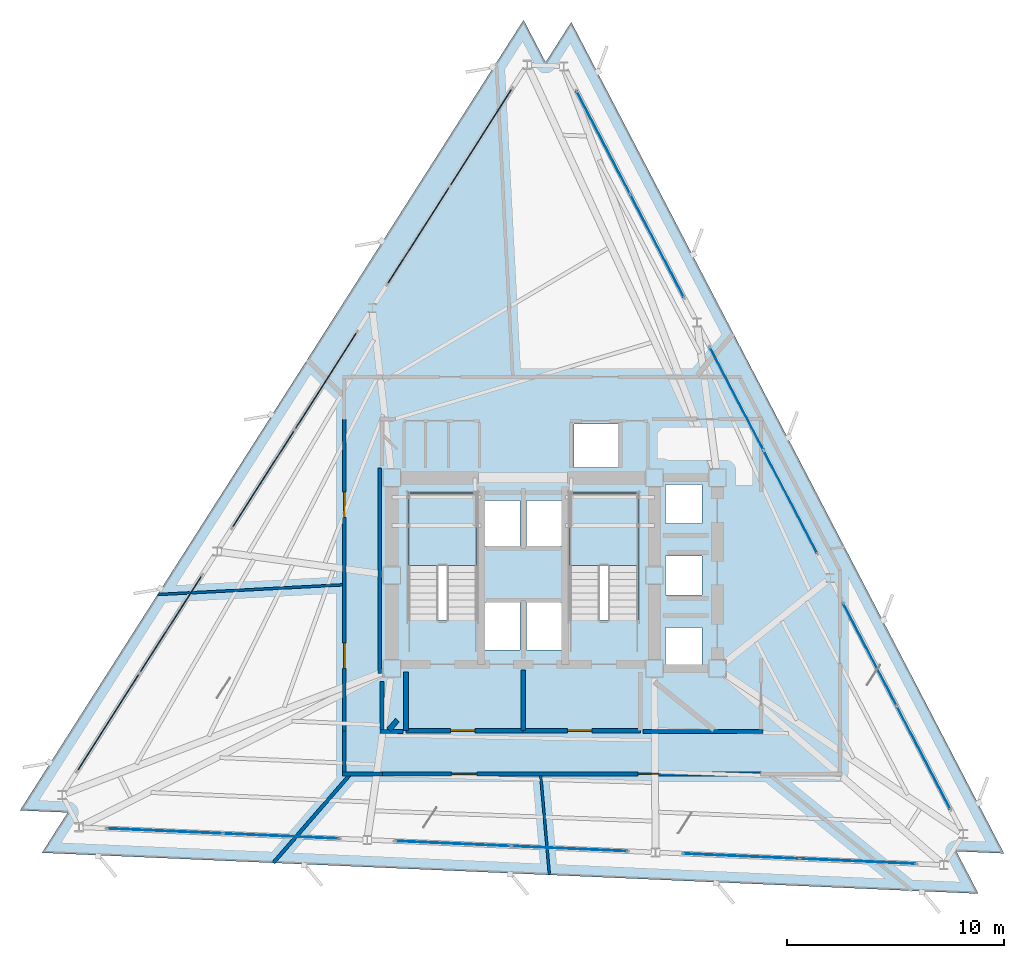
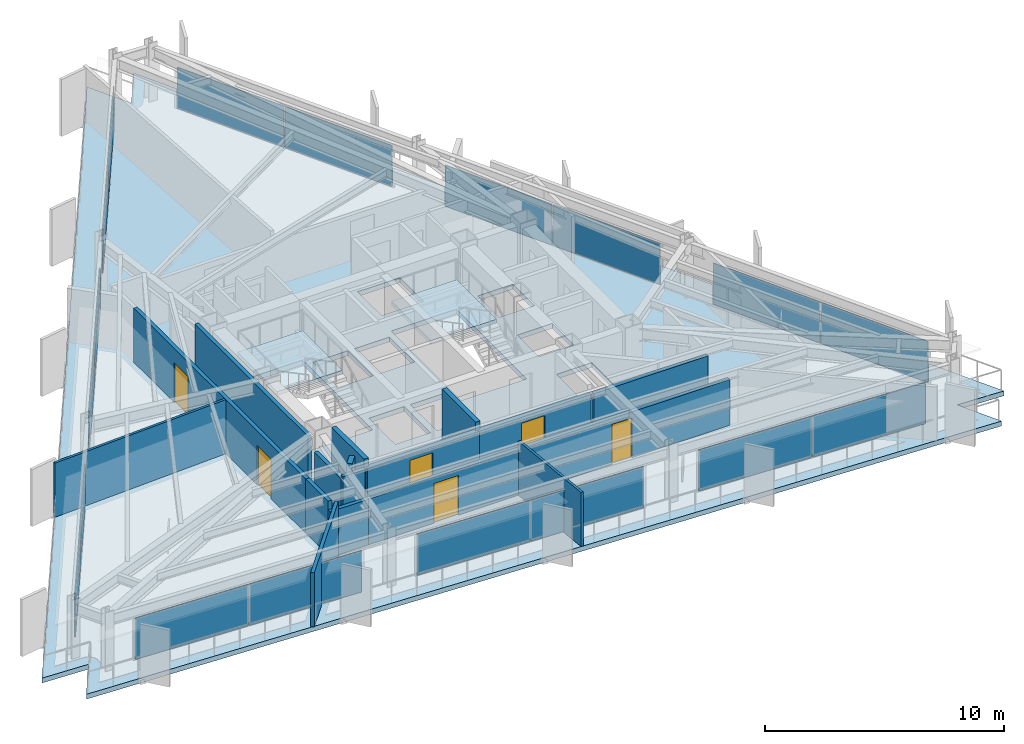
# One storey, part 7 of 12: 18 plates, 16 walls, 6 doors, 3 slabs, 6 openings, 11 elements without a shape of their own.
"""IFC4 building model written with IfcOpenShell, lengths in metres."""

from ifc_helpers import new_model, si_unit, direction, frame, frame_2d, origin, origin_2d, place, context, subcontext, project, spatial, polyline, rectangle, outline, extrude, material, layer, layer_set, type_object, element, fill, aggregate, save


model = new_model("IFC4")

# Units and contexts
model_context = context("Model", 3, precision=1e-05, world=origin(), true_north=direction((0.0, 1.0)))
body_context = subcontext(model_context, "Body", "Model", "MODEL_VIEW")
ifc_project = project(units=[si_unit("LENGTHUNIT", "METRE"), si_unit("AREAUNIT", "SQUARE_METRE"), si_unit("VOLUMEUNIT", "CUBIC_METRE"), si_unit("PLANEANGLEUNIT", "RADIAN"), si_unit("MASSUNIT", "GRAM", prefix="KILO")], contexts=[model_context])

# Site, building, storey
site_placement = place(None, origin())
site = spatial("IfcSite", under=ifc_project, at=site_placement, CompositionType="ELEMENT")
building_placement = place(site_placement, origin())
building = spatial("IfcBuilding", under=site, at=building_placement, Name="Rocaltana Carrier Exchange", CompositionType="ELEMENT")
storey_placement = place(building_placement, frame((0.0, 0.0, 128.9599609375)))
storey = spatial("IfcBuildingStorey", under=building, at=storey_placement, Name="L40", CompositionType="ELEMENT", Elevation=128.9599609375)

# Curtain wall, plates
ifc_material_1 = material(Name="Aluminium 6063-T6", Category="aluminium")
ifc_layer_1 = layer(ifc_material_1, 0.14990234375)
ifc_layer_set_1 = layer_set([ifc_layer_1], Name="Aluminium 6063-T6")
curtain_wall_type = type_object("IfcCurtainWallType", Name="Mid-Tower Unitised Curtain Wall CW-03", PredefinedType="NOTDEFINED", material=ifc_layer_set_1)
curtain_wall_1_placement = place(storey_placement, origin())
curtain_wall_1 = element("IfcCurtainWall", 1, at=curtain_wall_1_placement, inside=storey, type_object=curtain_wall_type, Name="L40 CW-03 Run CW-L40-F1S1", PredefinedType="NOTDEFINED")
ifc_material_2 = material(Name="Tempered Laminated Glass", Category="glass")
ifc_layer_2 = layer(ifc_material_2, 0.0400390625)
ifc_layer_set_2 = layer_set([ifc_layer_2], Name="Tempered Laminated Glass")
plate_type = type_object("IfcPlateType", Name="CW-03 Stone-Insulated Vision Panel", PredefinedType="CURTAIN_PANEL", material=ifc_layer_set_2)
plate_1_placement = place(storey_placement, frame((18.460693359375, -8.4111328125, 0.06005859375), z_axis=(0.0, 0.0, 1.0), x_axis=(-0.461750348962, 0.887009929614, 0.0)))
plate_1 = element("IfcPlate", 2, at=plate_1_placement, type_object=plate_type, Name="CW-03 panel 1.1", PredefinedType="CURTAIN_PANEL", context=body_context, shape_type="SweptSolid", body=[
    extrude(rectangle(XDim=5.31005859375, YDim=0.0400390625, at=origin_2d()), origin(), (0.0, 0.0, 1.0), 2.097900390625),
])
plate_2_placement = place(storey_placement, frame((15.98095703125, -3.64794921875, 0.06005859375), z_axis=(0.0, 0.0, 1.0), x_axis=(-0.461750348962, 0.887009929614, 0.0)))
plate_2 = element("IfcPlate", 3, at=plate_2_placement, type_object=plate_type, Name="CW-03 panel 2.1", PredefinedType="CURTAIN_PANEL", context=body_context, shape_type="SweptSolid", body=[
    extrude(rectangle(XDim=5.31005859375, YDim=0.0400390625, at=origin_2d()), origin(), (0.0, 0.0, 1.0), 2.097900390625),
])
aggregate(curtain_wall_1, [plate_1, plate_2])

curtain_wall_2_placement = place(storey_placement, origin())
curtain_wall_2 = element("IfcCurtainWall", 4, at=curtain_wall_2_placement, inside=storey, type_object=curtain_wall_type, Name="L40 CW-03 Run CW-L40-F1S2", PredefinedType="NOTDEFINED")
plate_3_placement = place(storey_placement, frame((12.3193359375, 3.385986328125, 0.06005859375), z_axis=(0.0, 0.0, 1.0), x_axis=(-0.461746856235, 0.887011747812, 0.0)))
plate_3 = element("IfcPlate", 5, at=plate_3_placement, type_object=plate_type, Name="CW-03 panel 1.1", PredefinedType="CURTAIN_PANEL", context=body_context, shape_type="SweptSolid", body=[
    extrude(rectangle(XDim=5.309814453125, YDim=0.0400390625, at=origin_2d()), origin(), (0.0, 0.0, 1.0), 2.097900390625),
])
plate_4_placement = place(storey_placement, frame((9.83984375, 8.1494140625, 0.06005859375), z_axis=(0.0, 0.0, 1.0), x_axis=(-0.461746856235, 0.887011747812, 0.0)))
plate_4 = element("IfcPlate", 6, at=plate_4_placement, type_object=plate_type, Name="CW-03 panel 2.1", PredefinedType="CURTAIN_PANEL", context=body_context, shape_type="SweptSolid", body=[
    extrude(rectangle(XDim=5.309814453125, YDim=0.0400390625, at=origin_2d()), origin(), (0.0, 0.0, 1.0), 2.097900390625),
])
aggregate(curtain_wall_2, [plate_3, plate_4])

curtain_wall_3_placement = place(storey_placement, origin())
curtain_wall_3 = element("IfcCurtainWall", 7, at=curtain_wall_3_placement, inside=storey, type_object=curtain_wall_type, Name="L40 CW-03 Run CW-L40-F1S3", PredefinedType="NOTDEFINED")
plate_5_placement = place(storey_placement, frame((6.17822265625, 15.183349609375, 0.06005859375), z_axis=(0.0, 0.0, 1.0), x_axis=(-0.461754141383, 0.887007955385, 0.0)))
plate_5 = element("IfcPlate", 8, at=plate_5_placement, type_object=plate_type, Name="CW-03 panel 1.1", PredefinedType="CURTAIN_PANEL", context=body_context, shape_type="SweptSolid", body=[
    extrude(rectangle(XDim=5.31005859375, YDim=0.0400390625, at=origin_2d()), origin(), (0.0, 0.0, 1.0), 2.097900390625),
])
plate_6_placement = place(storey_placement, frame((3.698486328125, 19.946533203125, 0.06005859375), z_axis=(0.0, 0.0, 1.0), x_axis=(-0.461754141383, 0.887007955385, 0.0)))
plate_6 = element("IfcPlate", 9, at=plate_6_placement, type_object=plate_type, Name="CW-03 panel 2.1", PredefinedType="CURTAIN_PANEL", context=body_context, shape_type="SweptSolid", body=[
    extrude(rectangle(XDim=5.31005859375, YDim=0.0400390625, at=origin_2d()), origin(), (0.0, 0.0, 1.0), 2.097900390625),
])
aggregate(curtain_wall_3, [plate_5, plate_6])

curtain_wall_4_placement = place(storey_placement, origin())
curtain_wall_4 = element("IfcCurtainWall", 10, at=curtain_wall_4_placement, inside=storey, type_object=curtain_wall_type, Name="L40 CW-03 Run CW-L40-F2S1", PredefinedType="NOTDEFINED")
plate_7_placement = place(storey_placement, frame((-1.946044921875, 20.19287109375, 0.06005859375), z_axis=(0.0, 0.0, 1.0), x_axis=(-0.537300801443, -0.843390685726, 0.0)))
plate_7 = element("IfcPlate", 11, at=plate_7_placement, type_object=plate_type, Name="CW-03 panel 1.1", PredefinedType="CURTAIN_PANEL", context=body_context, shape_type="SweptSolid", body=[
    extrude(rectangle(XDim=5.31005859375, YDim=0.0400390625, at=origin_2d()), origin(), (0.0, 0.0, 1.0), 2.097900390625),
])
plate_8_placement = place(storey_placement, frame((-4.831298828125, 15.663818359375, 0.06005859375), z_axis=(0.0, 0.0, 1.0), x_axis=(-0.537300801443, -0.843390685726, 0.0)))
plate_8 = element("IfcPlate", 12, at=plate_8_placement, type_object=plate_type, Name="CW-03 panel 2.1", PredefinedType="CURTAIN_PANEL", context=body_context, shape_type="SweptSolid", body=[
    extrude(rectangle(XDim=5.31005859375, YDim=0.0400390625, at=origin_2d()), origin(), (0.0, 0.0, 1.0), 2.097900390625),
])
aggregate(curtain_wall_4, [plate_7, plate_8])

curtain_wall_5_placement = place(storey_placement, origin())
curtain_wall_5 = element("IfcCurtainWall", 13, at=curtain_wall_5_placement, inside=storey, type_object=curtain_wall_type, Name="L40 CW-03 Run CW-L40-F2S2", PredefinedType="NOTDEFINED")
plate_9_placement = place(storey_placement, frame((-9.092041015625, 8.975830078125, 0.06005859375), z_axis=(0.0, 0.0, 1.0), x_axis=(-0.537300801443, -0.843390685726, 0.0)))
plate_9 = element("IfcPlate", 14, at=plate_9_placement, type_object=plate_type, Name="CW-03 panel 1.1", PredefinedType="CURTAIN_PANEL", context=body_context, shape_type="SweptSolid", body=[
    extrude(rectangle(XDim=5.31005859375, YDim=0.0400390625, at=origin_2d()), origin(), (0.0, 0.0, 1.0), 2.097900390625),
])
plate_10_placement = place(storey_placement, frame((-11.977294921875, 4.44677734375, 0.06005859375), z_axis=(0.0, 0.0, 1.0), x_axis=(-0.537300801443, -0.843390685726, 0.0)))
plate_10 = element("IfcPlate", 15, at=plate_10_placement, type_object=plate_type, Name="CW-03 panel 2.1", PredefinedType="CURTAIN_PANEL", context=body_context, shape_type="SweptSolid", body=[
    extrude(rectangle(XDim=5.31005859375, YDim=0.0400390625, at=origin_2d()), origin(), (0.0, 0.0, 1.0), 2.097900390625),
])
aggregate(curtain_wall_5, [plate_9, plate_10])

curtain_wall_6_placement = place(storey_placement, origin())
curtain_wall_6 = element("IfcCurtainWall", 16, at=curtain_wall_6_placement, inside=storey, type_object=curtain_wall_type, Name="L40 CW-03 Run CW-L40-F2S3", PredefinedType="NOTDEFINED")
plate_11_placement = place(storey_placement, frame((-16.23828125, -2.2412109375, 0.06005859375), z_axis=(0.0, 0.0, 1.0), x_axis=(-0.537300801443, -0.843390685726, 0.0)))
plate_11 = element("IfcPlate", 17, at=plate_11_placement, type_object=plate_type, Name="CW-03 panel 1.1", PredefinedType="CURTAIN_PANEL", context=body_context, shape_type="SweptSolid", body=[
    extrude(rectangle(XDim=5.31005859375, YDim=0.0400390625, at=origin_2d()), origin(), (0.0, 0.0, 1.0), 2.097900390625),
])
plate_12_placement = place(storey_placement, frame((-19.12353515625, -6.770263671875, 0.06005859375), z_axis=(0.0, 0.0, 1.0), x_axis=(-0.537300801443, -0.843390685726, 0.0)))
plate_12 = element("IfcPlate", 18, at=plate_12_placement, type_object=plate_type, Name="CW-03 panel 2.1", PredefinedType="CURTAIN_PANEL", context=body_context, shape_type="SweptSolid", body=[
    extrude(rectangle(XDim=5.31005859375, YDim=0.0400390625, at=origin_2d()), origin(), (0.0, 0.0, 1.0), 2.097900390625),
])
aggregate(curtain_wall_6, [plate_11, plate_12])

curtain_wall_7_placement = place(storey_placement, origin())
curtain_wall_7 = element("IfcCurtainWall", 19, at=curtain_wall_7_placement, inside=storey, type_object=curtain_wall_type, Name="L40 CW-03 Run CW-L40-F3S1", PredefinedType="NOTDEFINED")
plate_13_placement = place(storey_placement, frame((-16.5146484375, -11.78173828125, 0.06005859375), z_axis=(0.0, 0.0, 1.0), x_axis=(0.999047789154, -0.043629290456, 0.0)))
plate_13 = element("IfcPlate", 20, at=plate_13_placement, type_object=plate_type, Name="CW-03 panel 1.1", PredefinedType="CURTAIN_PANEL", context=body_context, shape_type="SweptSolid", body=[
    extrude(rectangle(XDim=5.31005859375, YDim=0.0400390625, at=origin_2d()), origin(), (0.0, 0.0, 1.0), 2.097900390625),
])
plate_14_placement = place(storey_placement, frame((-11.149658203125, -12.01611328125, 0.06005859375), z_axis=(0.0, 0.0, 1.0), x_axis=(0.999047789154, -0.043629290456, 0.0)))
plate_14 = element("IfcPlate", 21, at=plate_14_placement, type_object=plate_type, Name="CW-03 panel 2.1", PredefinedType="CURTAIN_PANEL", context=body_context, shape_type="SweptSolid", body=[
    extrude(rectangle(XDim=5.31005859375, YDim=0.0400390625, at=origin_2d()), origin(), (0.0, 0.0, 1.0), 2.097900390625),
])
aggregate(curtain_wall_7, [plate_13, plate_14])

curtain_wall_8_placement = place(storey_placement, origin())
curtain_wall_8 = element("IfcCurtainWall", 22, at=curtain_wall_8_placement, inside=storey, type_object=curtain_wall_type, Name="L40 CW-03 Run CW-L40-F3S2", PredefinedType="NOTDEFINED")
plate_15_placement = place(storey_placement, frame((-3.227294921875, -12.36181640625, 0.06005859375), z_axis=(0.0, 0.0, 1.0), x_axis=(0.999048175081, -0.043620452398, 0.0)))
plate_15 = element("IfcPlate", 23, at=plate_15_placement, type_object=plate_type, Name="CW-03 panel 1.1", PredefinedType="CURTAIN_PANEL", context=body_context, shape_type="SweptSolid", body=[
    extrude(rectangle(XDim=5.31005859375, YDim=0.0400390625, at=origin_2d()), origin(), (0.0, 0.0, 1.0), 2.097900390625),
])
plate_16_placement = place(storey_placement, frame((2.1376953125, -12.59619140625, 0.06005859375), z_axis=(0.0, 0.0, 1.0), x_axis=(0.999048175081, -0.043620452398, 0.0)))
plate_16 = element("IfcPlate", 24, at=plate_16_placement, type_object=plate_type, Name="CW-03 panel 2.1", PredefinedType="CURTAIN_PANEL", context=body_context, shape_type="SweptSolid", body=[
    extrude(rectangle(XDim=5.31005859375, YDim=0.0400390625, at=origin_2d()), origin(), (0.0, 0.0, 1.0), 2.097900390625),
])
aggregate(curtain_wall_8, [plate_15, plate_16])

curtain_wall_9_placement = place(storey_placement, origin())
curtain_wall_9 = element("IfcCurtainWall", 25, at=curtain_wall_9_placement, inside=storey, type_object=curtain_wall_type, Name="L40 CW-03 Run CW-L40-F3S3", PredefinedType="NOTDEFINED")
plate_17_placement = place(storey_placement, frame((10.06005859375, -12.942138671875, 0.06005859375), z_axis=(0.0, 0.0, 1.0), x_axis=(0.999047789154, -0.043629290456, 0.0)))
plate_17 = element("IfcPlate", 26, at=plate_17_placement, type_object=plate_type, Name="CW-03 panel 1.1", PredefinedType="CURTAIN_PANEL", context=body_context, shape_type="SweptSolid", body=[
    extrude(rectangle(XDim=5.31005859375, YDim=0.0400390625, at=origin_2d()), origin(), (0.0, 0.0, 1.0), 2.097900390625),
])
plate_18_placement = place(storey_placement, frame((15.425048828125, -13.17626953125, 0.06005859375), z_axis=(0.0, 0.0, 1.0), x_axis=(0.999047789154, -0.043629290456, 0.0)))
plate_18 = element("IfcPlate", 27, at=plate_18_placement, type_object=plate_type, Name="CW-03 panel 2.1", PredefinedType="CURTAIN_PANEL", context=body_context, shape_type="SweptSolid", body=[
    extrude(rectangle(XDim=5.31005859375, YDim=0.0400390625, at=origin_2d()), origin(), (0.0, 0.0, 1.0), 2.097900390625),
])
aggregate(curtain_wall_9, [plate_17, plate_18])

# Slab
ifc_material_3 = material(Name="Concrete C50/60", Category="concrete")
ifc_layer_3 = layer(ifc_material_3, 0.25)
ifc_layer_set_3 = layer_set([ifc_layer_3], Name="Concrete C50/60")
slab_type_1 = type_object("IfcSlabType", Name="Mid-Zone Tower Slab 250", PredefinedType="FLOOR", material=ifc_layer_set_3)
slab_1_placement = place(storey_placement, frame((0.0, 0.0, -0.25)))
element("IfcSlab", 28, at=slab_1_placement, inside=storey, type_object=slab_type_1, Name="L40 Structural Floor Slab", PredefinedType="FLOOR", context=body_context, shape_type="SweptSolid", body=[
    extrude(outline(polyline([(20.97998046875, -14.669921875), (19.964111328125, -12.718505859375), (22.162109375, -12.814697265625), (2.214599609375, 25.50439453125), (1.032470703125, 23.648681640625), (0.0166015625, 25.600341796875), (-23.194580078125, -10.834228515625), (-20.996826171875, -10.93017578125), (-22.1787109375, -12.78564453125), (20.97998046875, -14.669921875)]), holes=[polyline([(-5.300048828125, -2.06005859375), (-2.139892578125, -2.06005859375), (-2.139892578125, 3.800048828125), (-5.300048828125, 3.800048828125), (-5.300048828125, -2.06005859375)]), polyline([(2.139892578125, -2.06005859375), (5.300048828125, -2.06005859375), (5.300048828125, 3.800048828125), (2.139892578125, 3.800048828125), (2.139892578125, -2.06005859375)]), polyline([(-1.85009765625, -3.449951171875), (-0.14990234375, -3.449951171875), (-0.14990234375, -1.25), (-1.85009765625, -1.25), (-1.85009765625, -3.449951171875)]), polyline([(0.14990234375, -3.449951171875), (1.85009765625, -3.449951171875), (1.85009765625, -1.25), (0.14990234375, -1.25), (0.14990234375, -3.449951171875)]), polyline([(2.35009765625, 4.97998046875), (4.39990234375, 4.97998046875), (4.39990234375, 6.97998046875), (2.35009765625, 6.97998046875), (2.35009765625, 4.97998046875)]), polyline([(-1.85009765625, 1.35009765625), (-0.14990234375, 1.35009765625), (-0.14990234375, 3.449951171875), (-1.85009765625, 3.449951171875), (-1.85009765625, 1.35009765625)]), polyline([(0.14990234375, 1.35009765625), (1.85009765625, 1.35009765625), (1.85009765625, 3.449951171875), (0.14990234375, 3.449951171875), (0.14990234375, 1.35009765625)]), polyline([(6.550048828125, -4.199951171875), (8.25, -4.199951171875), (8.25, -2.39990234375), (6.550048828125, -2.39990234375), (6.550048828125, -4.199951171875)]), polyline([(6.550048828125, -0.89990234375), (8.25, -0.89990234375), (8.25, 0.89990234375), (6.550048828125, 0.89990234375), (6.550048828125, -0.89990234375)]), polyline([(6.550048828125, 2.39990234375), (8.25, 2.39990234375), (8.25, 4.199951171875), (6.550048828125, 4.199951171875), (6.550048828125, 2.39990234375)])]), origin(), (0.0, 0.0, 1.0), 0.25),
])

# Stair, slab
ifc_material_4 = material(Name="Precast concrete C45/55", Category="concrete")
stair_type = type_object("IfcStairType", Name="Standard Dog-Leg Stair 160", PredefinedType="HALF_TURN_STAIR", material=ifc_material_4)
stair_1_placement = place(storey_placement, origin())
stair_1 = element("IfcStair", 29, at=stair_1_placement, inside=storey, type_object=stair_type, Name="L40 Core West Exit Stair ST-1", PredefinedType="HALF_TURN_STAIR")
ifc_material_5 = material(Name="Precast concrete C45/55", Category="concrete")
ifc_layer_4 = layer(ifc_material_5, 0.199951171875)
ifc_layer_set_4 = layer_set([ifc_layer_4], Name="Precast concrete C45/55")
slab_type_2 = type_object("IfcSlabType", Name="Precast Stair Half-Landing 200", PredefinedType="LANDING", material=ifc_layer_set_4)
slab_2_placement = place(storey_placement, frame((0.0, 0.0, 1.320068359375)))
slab_2 = element("IfcSlab", 30, at=slab_2_placement, type_object=slab_type_2, Name="ST-1 landing 1", PredefinedType="LANDING", context=body_context, shape_type="SweptSolid", body=[
    extrude(outline(polyline([(-2.139892578125, 0.4599609375), (-2.139892578125, 3.800048828125), (-5.300048828125, 3.800048828125), (-5.300048828125, 0.4599609375), (-2.139892578125, 0.4599609375)])), origin(), (0.0, 0.0, 1.0), 0.199951171875),
])
aggregate(stair_1, [slab_2])

stair_2_placement = place(storey_placement, origin())
stair_2 = element("IfcStair", 31, at=stair_2_placement, inside=storey, type_object=stair_type, Name="L40 Core East Exit Stair ST-2", PredefinedType="HALF_TURN_STAIR")
slab_3_placement = place(storey_placement, frame((0.0, 0.0, 1.320068359375)))
slab_3 = element("IfcSlab", 32, at=slab_3_placement, type_object=slab_type_2, Name="ST-2 landing 1", PredefinedType="LANDING", context=body_context, shape_type="SweptSolid", body=[
    extrude(outline(polyline([(5.300048828125, 0.4599609375), (5.300048828125, 3.800048828125), (2.139892578125, 3.800048828125), (2.139892578125, 0.4599609375), (5.300048828125, 0.4599609375)])), origin(), (0.0, 0.0, 1.0), 0.199951171875),
])
aggregate(stair_2, [slab_3])

# Walls
ifc_material_6 = material(Name="Double Acoustic Gypsum Partition", Category="gypsum")
ifc_layer_5 = layer(ifc_material_6, 0.159912109375)
ifc_layer_set_5 = layer_set([ifc_layer_5], Name="Double Acoustic Gypsum Partition")
wall_type_1 = type_object("IfcWallType", Name="Acoustic Studio Partition 160 EI60", PredefinedType="PARTITIONING", material=ifc_layer_set_5)
wall_1_placement = place(storey_placement, frame((-8.0234375, -9.22998046875, 0.0), z_axis=(0.0, 0.0, 1.0), x_axis=(-0.656052478168, -0.754715274716, 0.0)))
element("IfcWall", 33, at=wall_1_placement, inside=storey, type_object=wall_type_1, Name="L40 Suite Divider Wall D3", PredefinedType="PARTITIONING", context=body_context, shape_type="SweptSolid", body=[
    extrude(rectangle(XDim=5.315185546875, YDim=0.159912109375, at=frame_2d((2.65771484375, 0.0))), origin(), (0.0, 0.0, 1.0), 2.762939453125),
])
ifc_material_7 = material(Name="Gypsum & Steel Stud Partition", Category="steel")
ifc_layer_6 = layer(ifc_material_7, 0.179931640625)
ifc_layer_set_6 = layer_set([ifc_layer_6], Name="Gypsum & Steel Stud Partition")
wall_type_2 = type_object("IfcWallType", Name="Corridor Fire Partition 180 EI60", PredefinedType="PARTITIONING", material=ifc_layer_set_6)
wall_2_placement = place(storey_placement, frame((-6.47998046875, -9.14990234375, 0.0), z_axis=(0.0, 0.0, 1.0), x_axis=(-1.0, 0.0, 0.0)))
element("IfcWall", 34, at=wall_2_placement, inside=storey, type_object=wall_type_2, Name="L40 Corridor Partition 1", PredefinedType="PARTITIONING", context=body_context, shape_type="SweptSolid", body=[
    extrude(rectangle(XDim=1.860107421875, YDim=0.179931640625, at=frame_2d((0.93017578125, 0.0))), origin(), (0.0, 0.0, 1.0), 2.330078125),
])
wall_3_placement = place(storey_placement, frame((-8.25, -9.06005859375, 0.0), z_axis=(0.0, 0.0, 1.0), x_axis=(0.0, 1.0, 0.0)))
element("IfcWall", 35, at=wall_3_placement, inside=storey, type_object=wall_type_2, Name="L40 Corridor Partition 2", PredefinedType="PARTITIONING", context=body_context, shape_type="SweptSolid", body=[
    extrude(rectangle(XDim=1.880126953125, YDim=0.179931640625, at=frame_2d((0.93994140625, 0.0))), origin(), (0.0, 0.0, 1.0), 2.762939453125),
])

# Wall, openings, doors
wall_4_placement = place(storey_placement, frame((-8.25, -7.219970703125, 0.0), z_axis=(0.0, 0.0, 1.0), x_axis=(0.0, 1.0, 0.0)))
wall_4 = element("IfcWall", 36, at=wall_4_placement, inside=storey, type_object=wall_type_2, Name="L40 Corridor Partition 3", PredefinedType="PARTITIONING", context=body_context, shape_type="SweptSolid", body=[
    extrude(rectangle(XDim=14.43994140625, YDim=0.179931640625, at=frame_2d((7.219970703125, 0.0))), origin(), (0.0, 0.0, 1.0), 2.762939453125),
])
opening_1_placement = place(wall_4_placement, frame((2.931884765625, 0.0, 0.0)))
opening_1 = element("IfcOpeningElement", 37, at=opening_1_placement, cuts=wall_4, Name="Opening D-SU120", PredefinedType="OPENING", context=body_context, shape_type="SweptSolid", body=[
    extrude(rectangle(XDim=1.179931640625, YDim=2.02001953125, at=frame_2d((0.58984375, 1.010009765625))), frame((0.0, 0.099853515625, 0.0), z_axis=(0.0, -1.0, 0.0), x_axis=(1.0, 0.0, 0.0)), (0.0, 0.0, 1.0), 0.199951171875),
])
opening_2_placement = place(wall_4_placement, frame((9.8916015625, 0.0, 0.0)))
opening_2 = element("IfcOpeningElement", 38, at=opening_2_placement, cuts=wall_4, Name="Opening D-SU120", PredefinedType="OPENING", context=body_context, shape_type="SweptSolid", body=[
    extrude(rectangle(XDim=1.179931640625, YDim=2.02001953125, at=frame_2d((0.58984375, 1.010009765625))), frame((0.0, 0.099853515625, 0.0), z_axis=(0.0, -1.0, 0.0), x_axis=(1.0, 0.0, 0.0)), (0.0, 0.0, 1.0), 0.199951171875),
])
ifc_material_8 = material(Name="Engineered Hardwood Timber", Category="wood")
door_type_1 = type_object("IfcDoorType", Name="Suite Double Entrance Door 1180x2020", OperationType="NOTDEFINED", PredefinedType="DOOR", material=ifc_material_8)
door_1_placement = place(opening_1_placement, origin())
door_1 = element("IfcDoor", 39, at=door_1_placement, inside=storey, type_object=door_type_1, Name="L40 Carrier Peering Suite Entrance Door", OperationType="SINGLE_SWING_RIGHT", OverallHeight=2.02001953125, OverallWidth=1.179931640625, PredefinedType="DOOR", context=body_context, shape_type="SweptSolid", body=[
    extrude(rectangle(XDim=1.179931640625, YDim=2.02001953125, at=frame_2d((0.58984375, 1.010009765625))), frame((0.0, 0.02490234375, 0.0), z_axis=(0.0, -1.0, 0.0), x_axis=(1.0, 0.0, 0.0)), (0.0, 0.0, 1.0), 0.050048828125),
])
fill(opening_1, door_1)
door_2_placement = place(opening_2_placement, origin())
door_2 = element("IfcDoor", 40, at=door_2_placement, inside=storey, type_object=door_type_1, Name="L40 Carrier Peering Suite Entrance Door", OperationType="SINGLE_SWING_RIGHT", OverallHeight=2.02001953125, OverallWidth=1.179931640625, PredefinedType="DOOR", context=body_context, shape_type="SweptSolid", body=[
    extrude(rectangle(XDim=1.179931640625, YDim=2.02001953125, at=frame_2d((0.58984375, 1.010009765625))), frame((0.0, 0.02490234375, 0.0), z_axis=(0.0, -1.0, 0.0), x_axis=(1.0, 0.0, 0.0)), (0.0, 0.0, 1.0), 0.050048828125),
])
fill(opening_2, door_2)

wall_5_placement = place(storey_placement, frame((10.97998046875, -9.14990234375, 0.0), z_axis=(0.0, 0.0, 1.0), x_axis=(-1.0, 0.0, 0.0)))
wall_5 = element("IfcWall", 41, at=wall_5_placement, inside=storey, type_object=wall_type_2, Name="L40 Corridor Partition 11", PredefinedType="PARTITIONING", context=body_context, shape_type="SweptSolid", body=[
    extrude(rectangle(XDim=17.5, YDim=0.179931640625, at=frame_2d((8.75, 0.0))), origin(), (0.0, 0.0, 1.0), 2.330078125),
])
opening_3_placement = place(wall_5_placement, frame((13.1162109375, 0.0, 0.0)))
opening_3 = element("IfcOpeningElement", 42, at=opening_3_placement, cuts=wall_5, Name="Opening D-SU120", PredefinedType="OPENING", context=body_context, shape_type="SweptSolid", body=[
    extrude(rectangle(XDim=1.179931640625, YDim=2.02001953125, at=frame_2d((0.58984375, 1.010009765625))), frame((0.0, 0.099853515625, 0.0), z_axis=(0.0, -1.0, 0.0), x_axis=(1.0, 0.0, 0.0)), (0.0, 0.0, 1.0), 0.199951171875),
])
opening_4_placement = place(wall_5_placement, frame((4.736328125, 0.0, 0.0)))
opening_4 = element("IfcOpeningElement", 43, at=opening_4_placement, cuts=wall_5, Name="Opening D-RM098", PredefinedType="OPENING", context=body_context, shape_type="SweptSolid", body=[
    extrude(rectangle(XDim=0.9599609375, YDim=2.02001953125, at=frame_2d((0.47998046875, 1.010009765625))), frame((0.0, 0.099853515625, 0.0), z_axis=(0.0, -1.0, 0.0), x_axis=(1.0, 0.0, 0.0)), (0.0, 0.0, 1.0), 0.199951171875),
])
door_3_placement = place(opening_3_placement, origin())
door_3 = element("IfcDoor", 44, at=door_3_placement, inside=storey, type_object=door_type_1, Name="L40 Carrier Peering Suite Entrance Door", OperationType="SINGLE_SWING_LEFT", OverallHeight=2.02001953125, OverallWidth=1.179931640625, PredefinedType="DOOR", context=body_context, shape_type="SweptSolid", body=[
    extrude(rectangle(XDim=1.179931640625, YDim=2.02001953125, at=frame_2d((0.58984375, 1.010009765625))), frame((0.0, 0.02490234375, 0.0), z_axis=(0.0, -1.0, 0.0), x_axis=(1.0, 0.0, 0.0)), (0.0, 0.0, 1.0), 0.050048828125),
])
fill(opening_3, door_3)
ifc_material_9 = material(Name="Engineered Hardwood Timber", Category="wood")
door_type_2 = type_object("IfcDoorType", Name="Workspace Single Door 960x2020", OperationType="NOTDEFINED", PredefinedType="DOOR", material=ifc_material_9)
door_4_placement = place(opening_4_placement, origin())
door_4 = element("IfcDoor", 45, at=door_4_placement, inside=storey, type_object=door_type_2, Name="L40 Cloud Architecture Office Entrance Door", OperationType="SINGLE_SWING_RIGHT", OverallHeight=2.02001953125, OverallWidth=0.9599609375, PredefinedType="DOOR", context=body_context, shape_type="SweptSolid", body=[
    extrude(rectangle(XDim=0.9599609375, YDim=2.02001953125, at=frame_2d((0.47998046875, 1.010009765625))), frame((0.0, 0.02490234375, 0.0), z_axis=(0.0, -1.0, 0.0), x_axis=(1.0, 0.0, 0.0)), (0.0, 0.0, 1.0), 0.050048828125),
])
fill(opening_4, door_4)

# Walls
wall_6_placement = place(storey_placement, frame((5.530029296875, -7.199951171875, 0.0), z_axis=(0.0, 0.0, 1.0), x_axis=(1.0, 0.0, 0.0)))
element("IfcWall", 46, at=wall_6_placement, inside=storey, type_object=wall_type_2, Name="L40 Corridor Partition 12", PredefinedType="PARTITIONING", context=body_context, shape_type="SweptSolid", body=[
    extrude(rectangle(XDim=5.52001953125, YDim=0.179931640625, at=frame_2d((2.760009765625, 0.0))), origin(), (0.0, 0.0, 1.0), 2.330078125),
])
wall_7_placement = place(storey_placement, frame((-6.610107421875, 4.93994140625, 0.0), z_axis=(0.0, 0.0, 1.0), x_axis=(0.0, -1.0, 0.0)))
element("IfcWall", 47, at=wall_7_placement, inside=storey, type_object=wall_type_2, Name="L40 Corridor Partition 18", PredefinedType="PARTITIONING", context=body_context, shape_type="SweptSolid", body=[
    extrude(rectangle(XDim=9.4599609375, YDim=0.179931640625, at=frame_2d((4.72998046875, 0.0))), origin(), (0.0, 0.0, 1.0), 2.762939453125),
])
wall_8_placement = place(storey_placement, frame((-6.5, -4.8798828125, 0.0), z_axis=(0.0, 0.0, 1.0), x_axis=(0.0, -1.0, 0.0)))
element("IfcWall", 48, at=wall_8_placement, inside=storey, type_object=wall_type_2, Name="L40 Corridor Partition 19", PredefinedType="PARTITIONING", context=body_context, shape_type="SweptSolid", body=[
    extrude(rectangle(XDim=2.230224609375, YDim=0.179931640625, at=frame_2d((1.115234375, 0.0))), origin(), (0.0, 0.0, 1.0), 2.132080078125),
])
wall_9_placement = place(storey_placement, frame((-6.590087890625, -7.199951171875, 0.0), z_axis=(0.0, 0.0, 1.0), x_axis=(1.0, 0.0, 0.0)))
element("IfcWall", 49, at=wall_9_placement, inside=storey, type_object=wall_type_2, Name="L40 Corridor Partition 20", PredefinedType="PARTITIONING", context=body_context, shape_type="SweptSolid", body=[
    extrude(rectangle(XDim=1.06005859375, YDim=0.179931640625, at=frame_2d((0.530029296875, 0.0))), origin(), (0.0, 0.0, 1.0), 2.330078125),
])
ifc_material_10 = material(Name="Aluminium 6063-T6 & Acoustic Glass", Category="aluminium")
ifc_layer_7 = layer(ifc_material_10, 0.114990234375)
ifc_layer_set_7 = layer_set([ifc_layer_7], Name="Aluminium 6063-T6 & Acoustic Glass")
wall_type_3 = type_object("IfcWallType", Name="Demountable Glazed Lab Partition 115", PredefinedType="MOVABLE", material=ifc_layer_set_7)
wall_10_placement = place(storey_placement, frame((-8.330078125, -0.4365234375, 0.0), z_axis=(0.0, 0.0, 1.0), x_axis=(-0.998628646782, -0.052352897024, 0.0)))
element("IfcWall", 50, at=wall_10_placement, inside=storey, type_object=wall_type_3, Name="L40 Suite Divider Wall D1", PredefinedType="MOVABLE", context=body_context, shape_type="SweptSolid", body=[
    extrude(rectangle(XDim=8.524658203125, YDim=0.114990234375, at=frame_2d((4.26220703125, 0.0))), origin(), (0.0, 0.0, 1.0), 2.762939453125),
])
wall_11_placement = place(storey_placement, frame((0.8076171875, -9.22998046875, 0.0), z_axis=(0.0, 0.0, 1.0), x_axis=(0.087130613331, -0.996196896311, 0.0)))
element("IfcWall", 51, at=wall_11_placement, inside=storey, type_object=wall_type_3, Name="L40 Suite Divider Wall D4", PredefinedType="MOVABLE", context=body_context, shape_type="SweptSolid", body=[
    extrude(rectangle(XDim=4.583984375, YDim=0.114990234375, at=frame_2d((2.2919921875, 0.0))), origin(), (0.0, 0.0, 1.0), 2.762939453125),
])
ifc_material_11 = material(Name="Autoclaved Aerated Concrete C30/37", Category="concrete")
ifc_layer_8 = layer(ifc_material_11, 0.219970703125)
ifc_layer_set_8 = layer_set([ifc_layer_8], Name="Autoclaved Aerated Concrete C30/37")
wall_type_4 = type_object("IfcWallType", Name="Firefighting Lobby Wall 220 EI120", PredefinedType="PARTITIONING", material=ifc_layer_set_8)
wall_12_placement = place(storey_placement, frame((-5.39990234375, -7.159912109375, 0.0), z_axis=(0.0, 0.0, 1.0), x_axis=(0.0, 1.0, 0.0)))
element("IfcWall", 52, at=wall_12_placement, inside=storey, type_object=wall_type_4, Name="L40 FFL Lobby 1 West Wall", PredefinedType="PARTITIONING", context=body_context, shape_type="SweptSolid", body=[
    extrude(rectangle(XDim=2.7099609375, YDim=0.219970703125, at=frame_2d((1.35498046875, 0.0))), origin(), (0.0, 0.0, 1.0), 2.762939453125),
])
wall_13_placement = place(storey_placement, frame((0.0, -7.159912109375, 0.0), z_axis=(0.0, 0.0, 1.0), x_axis=(0.0, 1.0, 0.0)))
element("IfcWall", 53, at=wall_13_placement, inside=storey, type_object=wall_type_4, Name="L40 FFL Lobby Centre Wall", PredefinedType="PARTITIONING", context=body_context, shape_type="SweptSolid", body=[
    extrude(rectangle(XDim=2.809814453125, YDim=0.219970703125, at=frame_2d((1.40478515625, 0.0))), origin(), (0.0, 0.0, 1.0), 2.762939453125),
])

# Wall, opening, door
wall_14_placement = place(storey_placement, frame((-5.39990234375, -7.159912109375, 0.0), z_axis=(0.0, 0.0, 1.0), x_axis=(1.0, 0.0, 0.0)))
wall_14 = element("IfcWall", 54, at=wall_14_placement, inside=storey, type_object=wall_type_4, Name="L40 FFL Lobby 1 South Wall", PredefinedType="PARTITIONING", context=body_context, shape_type="SweptSolid", body=[
    extrude(rectangle(XDim=5.39990234375, YDim=0.219970703125, at=frame_2d((2.699951171875, 0.0))), origin(), (0.0, 0.0, 1.0), 2.330078125),
])
opening_5_placement = place(wall_14_placement, frame((2.050048828125, 0.0, 0.0)))
opening_5 = element("IfcOpeningElement", 55, at=opening_5_placement, cuts=wall_14, Name="Opening D-FF115", PredefinedType="OPENING", context=body_context, shape_type="SweptSolid", body=[
    extrude(rectangle(XDim=1.1201171875, YDim=2.02001953125, at=frame_2d((0.56005859375, 1.010009765625))), frame((0.0, 0.119873046875, 0.0), z_axis=(0.0, -1.0, 0.0), x_axis=(1.0, 0.0, 0.0)), (0.0, 0.0, 1.0), 0.239990234375),
])
ifc_material_12 = material(Name="Hollow Metal Fire Door Assembly", Category="steel")
door_type_3 = type_object("IfcDoorType", Name="Firefighting Lobby Door 1120x2020 FD60S", OperationType="NOTDEFINED", PredefinedType="DOOR", material=ifc_material_12)
door_5_placement = place(opening_5_placement, origin())
door_5 = element("IfcDoor", 56, at=door_5_placement, inside=storey, type_object=door_type_3, Name="L40 Firefighting Lift Lobby 1 Door", OperationType="SINGLE_SWING_RIGHT", OverallHeight=2.02001953125, OverallWidth=1.1201171875, PredefinedType="DOOR", context=body_context, shape_type="SweptSolid", body=[
    extrude(rectangle(XDim=1.1201171875, YDim=2.02001953125, at=frame_2d((0.56005859375, 1.010009765625))), frame((0.0, 0.02490234375, 0.0), z_axis=(0.0, -1.0, 0.0), x_axis=(1.0, 0.0, 0.0)), (0.0, 0.0, 1.0), 0.050048828125),
])
fill(opening_5, door_5)

wall_15_placement = place(storey_placement, frame((0.0, -7.159912109375, 0.0), z_axis=(0.0, 0.0, 1.0), x_axis=(1.0, 0.0, 0.0)))
wall_15 = element("IfcWall", 57, at=wall_15_placement, inside=storey, type_object=wall_type_4, Name="L40 FFL Lobby 2 South Wall", PredefinedType="PARTITIONING", context=body_context, shape_type="SweptSolid", body=[
    extrude(rectangle(XDim=5.39990234375, YDim=0.219970703125, at=frame_2d((2.699951171875, 0.0))), origin(), (0.0, 0.0, 1.0), 2.330078125),
])
opening_6_placement = place(wall_15_placement, frame((2.050048828125, 0.0, 0.0)))
opening_6 = element("IfcOpeningElement", 58, at=opening_6_placement, cuts=wall_15, Name="Opening D-FF115", PredefinedType="OPENING", context=body_context, shape_type="SweptSolid", body=[
    extrude(rectangle(XDim=1.1201171875, YDim=2.02001953125, at=frame_2d((0.56005859375, 1.010009765625))), frame((0.0, 0.119873046875, 0.0), z_axis=(0.0, -1.0, 0.0), x_axis=(1.0, 0.0, 0.0)), (0.0, 0.0, 1.0), 0.239990234375),
])
door_6_placement = place(opening_6_placement, origin())
door_6 = element("IfcDoor", 59, at=door_6_placement, inside=storey, type_object=door_type_3, Name="L40 Firefighting Lift Lobby 2 Door", OperationType="SINGLE_SWING_LEFT", OverallHeight=2.02001953125, OverallWidth=1.1201171875, PredefinedType="DOOR", context=body_context, shape_type="SweptSolid", body=[
    extrude(rectangle(XDim=1.1201171875, YDim=2.02001953125, at=frame_2d((0.56005859375, 1.010009765625))), frame((0.0, 0.02490234375, 0.0), z_axis=(0.0, -1.0, 0.0), x_axis=(1.0, 0.0, 0.0)), (0.0, 0.0, 1.0), 0.050048828125),
])
fill(opening_6, door_6)

# Wall
ifc_material_13 = material(Name="Acoustic Calcium Silicate Partition", Category="gypsum")
ifc_layer_9 = layer(ifc_material_13, 0.239990234375)
ifc_layer_set_9 = layer_set([ifc_layer_9], Name="Acoustic Calcium Silicate Partition")
wall_type_5 = type_object("IfcWallType", Name="Heavy Lab Partition 240 EI90", PredefinedType="PARTITIONING", material=ifc_layer_set_9)
wall_16_placement = place(storey_placement, frame((-5.800048828125, -6.672119140625, 0.0), z_axis=(0.0, 0.0, 1.0), x_axis=(-0.655791573116, -0.754941992891, 0.0)))
element("IfcWall", 60, at=wall_16_placement, inside=storey, type_object=wall_type_5, Name="L40 Suite Divider Wall D2", PredefinedType="PARTITIONING", context=body_context, shape_type="SweptSolid", body=[
    extrude(rectangle(XDim=0.593505859375, YDim=0.239990234375, at=frame_2d((0.296875, 0.0))), origin(), (0.0, 0.0, 1.0), 2.762939453125),
])

save(model, "model.ifc")
